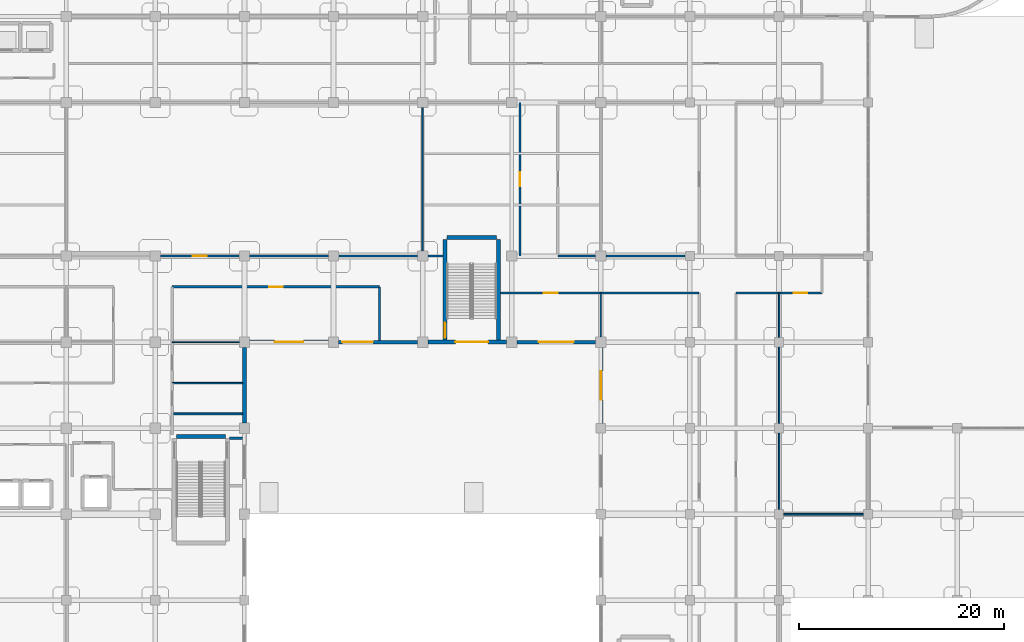
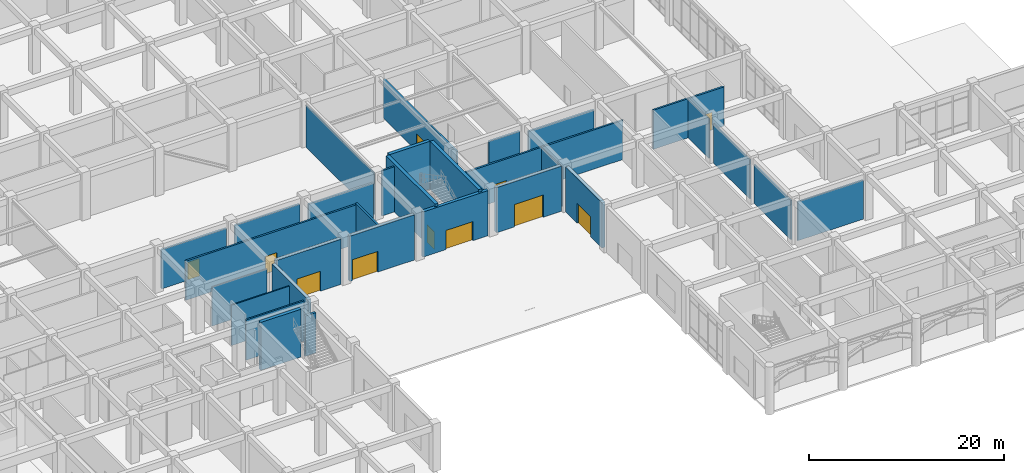
# One storey, part 64 of 82: 33 walls, 11 doors, 11 openings.
"""IFC4 building model written with IfcOpenShell, lengths in metres."""

from ifc_helpers import new_model, si_unit, derived_unit, direction, frame, frame_2d, origin, place, context, subcontext, project, spatial, rectangle, extrude, material, layer, layer_set, type_object, element, fill, save


model = new_model("IFC4")

# Units and contexts
model_context = context("Model", 3, precision=1e-05, world=origin(), true_north=direction((0.0, 1.0)))
body_context = subcontext(model_context, "Body", "Model", "MODEL_VIEW")
ifc_project = project(units=[si_unit("LENGTHUNIT", "METRE"), si_unit("AREAUNIT", "SQUARE_METRE"), si_unit("VOLUMEUNIT", "CUBIC_METRE"), si_unit("PLANEANGLEUNIT", "RADIAN"), si_unit("MASSUNIT", "GRAM", prefix="KILO"), derived_unit("THERMALTRANSMITTANCEUNIT", [(si_unit("MASSUNIT", "GRAM", prefix="KILO"), 1), (si_unit("TIMEUNIT", "SECOND"), -3), (si_unit("THERMODYNAMICTEMPERATUREUNIT", "KELVIN"), -1)])], contexts=[model_context])

# Site, building, storey
site_placement = place(None, origin())
site = spatial("IfcSite", under=ifc_project, at=site_placement, CompositionType="ELEMENT")
building_placement = place(site_placement, origin())
building = spatial("IfcBuilding", under=site, at=building_placement, Name="Qinzheling Arcade Emporium", CompositionType="ELEMENT")
storey_placement = place(building_placement, origin())
storey = spatial("IfcBuildingStorey", under=building, at=storey_placement, Name="L01", CompositionType="ELEMENT", Elevation=0.0)

# Wall, opening, door
ifc_material_1 = material(Name="Double-stud acoustic gypsum board partition")
ifc_layer_1 = layer(ifc_material_1, 0.215087890625, Name="Double-stud acoustic gypsum board partition")
ifc_layer_set_1 = layer_set([ifc_layer_1], Name="Double-stud acoustic gypsum board partition")
wall_type_1 = type_object("IfcWallType", Name="Acoustic Corridor Partition Wall 215", PredefinedType="PARTITIONING", material=ifc_layer_set_1)
wall_1_placement = place(storey_placement, frame((61.409912109375, 50.39990234375, 0.0), z_axis=(0.0, 0.0, 1.0), x_axis=(1.0, 0.0, 0.0)))
wall_1 = element("IfcWall", 1, at=wall_1_placement, inside=storey, type_object=wall_type_1, Name="Interior Wall WL-L01-INT-0144", PredefinedType="PARTITIONING", context=body_context, shape_type="SweptSolid", body=[
    extrude(rectangle(XDim=7.68017578125, YDim=0.215087890625, at=frame_2d((3.840087890625, 0.0))), origin(), (0.0, 0.0, 1.0), 4.909912109375),
])
opening_1_placement = place(wall_1_placement, frame((3.1650390625, 0.0, 0.0)))
opening_1 = element("IfcOpeningElement", 2, at=opening_1_placement, cuts=wall_1, Name="Opening FD05", PredefinedType="OPENING", context=body_context, shape_type="SweptSolid", body=[
    extrude(rectangle(XDim=1.35009765625, YDim=2.199951171875, at=frame_2d((0.675048828125, 1.10009765625))), frame((0.0, 0.11767578125, 0.0), z_axis=(0.0, -1.0, 0.0), x_axis=(1.0, 0.0, 0.0)), (0.0, 0.0, 1.0), 0.235107421875),
])
ifc_material_2 = material(Name="Class B fire-rated stainless-clad door")
door_type_1 = type_object("IfcDoorType", Name="Kitchen Fire-Rated Service Door 1350x2200", OperationType="NOTDEFINED", PredefinedType="DOOR", material=ifc_material_2)
door_1_placement = place(opening_1_placement, origin())
door_1 = element("IfcDoor", 3, at=door_1_placement, inside=storey, type_object=door_type_1, Name="FD05 Interior Door DR-L01-INT-0045", OperationType="SINGLE_SWING_RIGHT", OverallHeight=2.199951171875, OverallWidth=1.35009765625, PredefinedType="DOOR", context=body_context, shape_type="SweptSolid", body=[
    extrude(rectangle(XDim=1.35009765625, YDim=2.199951171875, at=frame_2d((0.675048828125, 1.10009765625))), frame((0.0, 0.02490234375, 0.0), z_axis=(0.0, -1.0, 0.0), x_axis=(1.0, 0.0, 0.0)), (0.0, 0.0, 1.0), 0.050048828125),
])
fill(opening_1, door_1)

# Walls
wall_2_placement = place(storey_placement, frame((70.110107421875, 50.39990234375, 0.0), z_axis=(0.0, 0.0, 1.0), x_axis=(1.0, 0.0, 0.0)))
element("IfcWall", 4, at=wall_2_placement, inside=storey, type_object=wall_type_1, Name="Interior Wall WL-L01-INT-0145", PredefinedType="PARTITIONING", context=body_context, shape_type="SweptSolid", body=[
    extrude(rectangle(XDim=7.679931640625, YDim=0.215087890625, at=frame_2d((3.83984375, 0.0))), origin(), (0.0, 0.0, 1.0), 4.909912109375),
])
wall_3_placement = place(storey_placement, frame((78.81005859375, 50.39990234375, 0.0), z_axis=(0.0, 0.0, 1.0), x_axis=(1.0, 0.0, 0.0)))
element("IfcWall", 5, at=wall_3_placement, inside=storey, type_object=wall_type_1, Name="Interior Wall WL-L01-INT-0146", PredefinedType="PARTITIONING", context=body_context, shape_type="SweptSolid", body=[
    extrude(rectangle(XDim=7.679931640625, YDim=0.215087890625, at=frame_2d((3.83984375, 0.0))), origin(), (0.0, 0.0, 1.0), 4.510009765625),
])

# Wall, opening, door
wall_4_placement = place(storey_placement, frame((104.39990234375, 46.800048828125, 0.0), z_axis=(0.0, 0.0, 1.0), x_axis=(-1.0, 0.0, 0.0)))
wall_4 = element("IfcWall", 6, at=wall_4_placement, inside=storey, type_object=wall_type_1, Name="Interior Wall WL-L01-INT-0158", PredefinedType="PARTITIONING", context=body_context, shape_type="SweptSolid", body=[
    extrude(rectangle(XDim=9.804931640625, YDim=0.215087890625, at=frame_2d((4.90234375, 0.0))), origin(), (0.0, 0.0, 1.0), 4.909912109375),
])
opening_2_placement = place(wall_4_placement, frame((4.22802734375, 0.0, 0.0)))
opening_2 = element("IfcOpeningElement", 7, at=opening_2_placement, cuts=wall_4, Name="Opening FD05", PredefinedType="OPENING", context=body_context, shape_type="SweptSolid", body=[
    extrude(rectangle(XDim=1.35009765625, YDim=2.199951171875, at=frame_2d((0.675048828125, 1.10009765625))), frame((0.0, 0.11767578125, 0.0), z_axis=(0.0, -1.0, 0.0), x_axis=(1.0, 0.0, 0.0)), (0.0, 0.0, 1.0), 0.235107421875),
])
door_2_placement = place(opening_2_placement, origin())
door_2 = element("IfcDoor", 8, at=door_2_placement, inside=storey, type_object=door_type_1, Name="FD05 Interior Door DR-L01-INT-0048", OperationType="SINGLE_SWING_LEFT", OverallHeight=2.199951171875, OverallWidth=1.35009765625, PredefinedType="DOOR", context=body_context, shape_type="SweptSolid", body=[
    extrude(rectangle(XDim=1.35009765625, YDim=2.199951171875, at=frame_2d((0.675048828125, 1.10009765625))), frame((0.0, 0.02490234375, 0.0), z_axis=(0.0, -1.0, 0.0), x_axis=(1.0, 0.0, 0.0)), (0.0, 0.0, 1.0), 0.050048828125),
])
fill(opening_2, door_2)

# Wall
wall_5_placement = place(storey_placement, frame((82.800048828125, 42.18505859375, 0.0), z_axis=(0.0, 0.0, 1.0), x_axis=(0.0, 1.0, 0.0)))
element("IfcWall", 9, at=wall_5_placement, inside=storey, type_object=wall_type_1, Name="Interior Wall WL-L01-INT-0159", PredefinedType="PARTITIONING", context=body_context, shape_type="SweptSolid", body=[
    extrude(rectangle(XDim=5.21484375, YDim=0.215087890625, at=frame_2d((2.607421875, 0.0))), origin(), (0.0, 0.0, 1.0), 5.06005859375),
])

# Wall, opening, door
wall_6_placement = place(storey_placement, frame((82.800048828125, 47.39990234375, 0.0), z_axis=(0.0, 0.0, 1.0), x_axis=(-1.0, 0.0, 0.0)))
wall_6 = element("IfcWall", 10, at=wall_6_placement, inside=storey, type_object=wall_type_1, Name="Interior Wall WL-L01-INT-0160", PredefinedType="PARTITIONING", context=body_context, shape_type="SweptSolid", body=[
    extrude(rectangle(XDim=20.25, YDim=0.215087890625, at=frame_2d((10.125, 0.0))), origin(), (0.0, 0.0, 1.0), 4.909912109375),
])
opening_3_placement = place(wall_6_placement, frame((9.449951171875, 0.0, 0.0)))
opening_3 = element("IfcOpeningElement", 11, at=opening_3_placement, cuts=wall_6, Name="Opening FD05", PredefinedType="OPENING", context=body_context, shape_type="SweptSolid", body=[
    extrude(rectangle(XDim=1.35009765625, YDim=2.199951171875, at=frame_2d((0.675048828125, 1.10009765625))), frame((0.0, 0.11767578125, 0.0), z_axis=(0.0, -1.0, 0.0), x_axis=(1.0, 0.0, 0.0)), (0.0, 0.0, 1.0), 0.235107421875),
])
door_3_placement = place(opening_3_placement, origin())
door_3 = element("IfcDoor", 12, at=door_3_placement, inside=storey, type_object=door_type_1, Name="FD05 Interior Door DR-L01-INT-0049", OperationType="SINGLE_SWING_RIGHT", OverallHeight=2.199951171875, OverallWidth=1.35009765625, PredefinedType="DOOR", context=body_context, shape_type="SweptSolid", body=[
    extrude(rectangle(XDim=1.35009765625, YDim=2.199951171875, at=frame_2d((0.675048828125, 1.10009765625))), frame((0.0, 0.02490234375, 0.0), z_axis=(0.0, -1.0, 0.0), x_axis=(1.0, 0.0, 0.0)), (0.0, 0.0, 1.0), 0.050048828125),
])
fill(opening_3, door_3)

# Walls
wall_7_placement = place(storey_placement, frame((100.199951171875, 50.39990234375, 0.0), z_axis=(0.0, 0.0, 1.0), x_axis=(1.0, 0.0, 0.0)))
element("IfcWall", 13, at=wall_7_placement, inside=storey, type_object=wall_type_1, Name="Interior Wall WL-L01-INT-0170", PredefinedType="PARTITIONING", context=body_context, shape_type="SweptSolid", body=[
    extrude(rectangle(XDim=3.68994140625, YDim=0.215087890625, at=frame_2d((1.844970703125, 0.0))), origin(), (0.0, 0.0, 1.0), 4.909912109375),
])
wall_8_placement = place(storey_placement, frame((87.510009765625, 50.39990234375, 0.0), z_axis=(0.0, 0.0, 1.0), x_axis=(1.0, 0.0, 0.0)))
element("IfcWall", 14, at=wall_8_placement, inside=storey, type_object=wall_type_1, Name="Interior Wall WL-L01-INT-0171", PredefinedType="PARTITIONING", context=body_context, shape_type="SweptSolid", body=[
    extrude(rectangle(XDim=1.485107421875, YDim=0.215087890625, at=frame_2d((0.74267578125, 0.0))), origin(), (0.0, 0.0, 1.0), 5.659912109375),
])

# Wall, opening, door
wall_9_placement = place(storey_placement, frame((96.5, 50.39990234375, 0.0), z_axis=(0.0, 0.0, 1.0), x_axis=(0.0, 1.0, 0.0)))
wall_9 = element("IfcWall", 15, at=wall_9_placement, inside=storey, type_object=wall_type_1, Name="Interior Wall WL-L01-INT-0172", PredefinedType="PARTITIONING", context=body_context, shape_type="SweptSolid", body=[
    extrude(rectangle(XDim=15.0, YDim=0.215087890625, at=frame_2d((7.5, 0.0))), origin(), (0.0, 0.0, 1.0), 4.909912109375),
])
opening_4_placement = place(wall_9_placement, frame((6.824951171875, 0.0, 0.0)))
opening_4 = element("IfcOpeningElement", 16, at=opening_4_placement, cuts=wall_9, Name="Opening FD05", PredefinedType="OPENING", context=body_context, shape_type="SweptSolid", body=[
    extrude(rectangle(XDim=1.35009765625, YDim=2.199951171875, at=frame_2d((0.675048828125, 1.10009765625))), frame((0.0, 0.11767578125, 0.0), z_axis=(0.0, -1.0, 0.0), x_axis=(1.0, 0.0, 0.0)), (0.0, 0.0, 1.0), 0.235107421875),
])
door_4_placement = place(opening_4_placement, origin())
door_4 = element("IfcDoor", 17, at=door_4_placement, inside=storey, type_object=door_type_1, Name="FD05 Interior Door DR-L01-INT-0054", OperationType="SINGLE_SWING_LEFT", OverallHeight=2.199951171875, OverallWidth=1.35009765625, PredefinedType="DOOR", context=body_context, shape_type="SweptSolid", body=[
    extrude(rectangle(XDim=1.35009765625, YDim=2.199951171875, at=frame_2d((0.675048828125, 1.10009765625))), frame((0.0, 0.02490234375, 0.0), z_axis=(0.0, -1.0, 0.0), x_axis=(1.0, 0.0, 0.0)), (0.0, 0.0, 1.0), 0.050048828125),
])
fill(opening_4, door_4)

# Walls
wall_10_placement = place(storey_placement, frame((121.800048828125, 46.800048828125, 0.0), z_axis=(0.0, 0.0, 1.0), x_axis=(-1.0, 0.0, 0.0)))
element("IfcWall", 18, at=wall_10_placement, inside=storey, type_object=wall_type_1, Name="Interior Wall WL-L01-INT-0176", PredefinedType="PARTITIONING", context=body_context, shape_type="SweptSolid", body=[
    extrude(rectangle(XDim=4.199951171875, YDim=0.215087890625, at=frame_2d((2.10009765625, 0.0))), origin(), (0.0, 0.0, 1.0), 4.909912109375),
])
wall_11_placement = place(storey_placement, frame((114.0, 46.800048828125, 0.0), z_axis=(0.0, 0.0, 1.0), x_axis=(-1.0, 0.0, 0.0)))
element("IfcWall", 19, at=wall_11_placement, inside=storey, type_object=wall_type_1, Name="Interior Wall WL-L01-INT-0181", PredefinedType="PARTITIONING", context=body_context, shape_type="SweptSolid", body=[
    extrude(rectangle(XDim=9.60009765625, YDim=0.215087890625, at=frame_2d((4.800048828125, 0.0))), origin(), (0.0, 0.0, 1.0), 4.909912109375),
])

# Wall, opening, door
wall_12_placement = place(storey_placement, frame((126.0, 46.800048828125, 0.0), z_axis=(0.0, 0.0, 1.0), x_axis=(-1.0, 0.0, 0.0)))
wall_12 = element("IfcWall", 20, at=wall_12_placement, inside=storey, type_object=wall_type_1, Name="Interior Wall WL-L01-INT-0183", PredefinedType="PARTITIONING", context=body_context, shape_type="SweptSolid", body=[
    extrude(rectangle(XDim=4.199951171875, YDim=0.215087890625, at=frame_2d((2.10009765625, 0.0))), origin(), (0.0, 0.0, 1.0), 4.909912109375),
])
opening_5_placement = place(wall_12_placement, frame((1.425048828125, 0.0, 0.0)))
opening_5 = element("IfcOpeningElement", 21, at=opening_5_placement, cuts=wall_12, Name="Opening FD05", PredefinedType="OPENING", context=body_context, shape_type="SweptSolid", body=[
    extrude(rectangle(XDim=1.35009765625, YDim=2.199951171875, at=frame_2d((0.675048828125, 1.10009765625))), frame((0.0, 0.11767578125, 0.0), z_axis=(0.0, -1.0, 0.0), x_axis=(1.0, 0.0, 0.0)), (0.0, 0.0, 1.0), 0.235107421875),
])
door_5_placement = place(opening_5_placement, origin())
door_5 = element("IfcDoor", 22, at=door_5_placement, inside=storey, type_object=door_type_1, Name="FD05 Interior Door DR-L01-INT-0058", OperationType="SINGLE_SWING_LEFT", OverallHeight=2.199951171875, OverallWidth=1.35009765625, PredefinedType="DOOR", context=body_context, shape_type="SweptSolid", body=[
    extrude(rectangle(XDim=1.35009765625, YDim=2.199951171875, at=frame_2d((0.675048828125, 1.10009765625))), frame((0.0, 0.02490234375, 0.0), z_axis=(0.0, -1.0, 0.0), x_axis=(1.0, 0.0, 0.0)), (0.0, 0.0, 1.0), 0.050048828125),
])
fill(opening_5, door_5)

# Walls
wall_13_placement = place(storey_placement, frame((104.909912109375, 50.39990234375, 0.0), z_axis=(0.0, 0.0, 1.0), x_axis=(1.0, 0.0, 0.0)))
element("IfcWall", 23, at=wall_13_placement, inside=storey, type_object=wall_type_1, Name="Interior Wall WL-L01-INT-0191", PredefinedType="PARTITIONING", context=body_context, shape_type="SweptSolid", body=[
    extrude(rectangle(XDim=7.72998046875, YDim=0.215087890625, at=frame_2d((3.864990234375, 0.0))), origin(), (0.0, 0.0, 1.0), 4.510009765625),
])
ifc_material_3 = material(Name="Galvanised stud back-of-house partition")
ifc_layer_2 = layer(ifc_material_3, 0.1201171875, Name="Galvanised stud back-of-house partition")
ifc_layer_set_2 = layer_set([ifc_layer_2], Name="Galvanised stud back-of-house partition")
wall_type_2 = type_object("IfcWallType", Name="Back-of-House Partition Wall 120", PredefinedType="PARTITIONING", material=ifc_layer_set_2)
wall_14_placement = place(storey_placement, frame((104.39990234375, 46.800048828125, 0.0), z_axis=(0.0, 0.0, 1.0), x_axis=(0.0, -1.0, 0.0)))
element("IfcWall", 24, at=wall_14_placement, inside=storey, type_object=wall_type_2, Name="Interior Wall WL-L01-INT-0233", PredefinedType="PARTITIONING", context=body_context, shape_type="SweptSolid", body=[
    extrude(rectangle(XDim=4.2900390625, YDim=0.1201171875, at=frame_2d((2.14501953125, 0.0))), origin(), (0.0, 0.0, 1.0), 4.909912109375),
])
ifc_material_4 = material(Name="Demountable aluminium-and-gypsum retail partition", Category="aluminium")
ifc_layer_3 = layer(ifc_material_4, 0.1650390625, Name="Demountable aluminium-and-gypsum retail partition", Category="aluminium")
ifc_layer_set_3 = layer_set([ifc_layer_3], Name="Demountable aluminium-and-gypsum retail partition")
wall_type_3 = type_object("IfcWallType", Name="Boutique Demountable Partition Wall 165", PredefinedType="PARTITIONING", material=ifc_layer_set_3)
wall_15_placement = place(storey_placement, frame((130.0400390625, 25.199951171875, 0.0), z_axis=(0.0, 0.0, 1.0), x_axis=(-1.0, 0.0, 0.0)))
element("IfcWall", 25, at=wall_15_placement, inside=storey, type_object=wall_type_3, Name="Interior Wall WL-L01-INT-0250", PredefinedType="PARTITIONING", context=body_context, shape_type="SweptSolid", body=[
    extrude(rectangle(XDim=7.780029296875, YDim=0.1650390625, at=frame_2d((3.89013671875, 0.0))), origin(), (0.0, 0.0, 1.0), 4.89501953125),
])
ifc_material_5 = material(Name="Glazed-transom steel-stud office partition", Category="steel")
ifc_layer_4 = layer(ifc_material_5, 0.135009765625, Name="Glazed-transom steel-stud office partition", Category="steel")
ifc_layer_set_4 = layer_set([ifc_layer_4], Name="Glazed-transom steel-stud office partition")
wall_type_4 = type_object("IfcWallType", Name="Buying Office Acoustic Partition Wall 135", PredefinedType="PARTITIONING", material=ifc_layer_set_4)
wall_16_placement = place(storey_placement, frame((87.0, 64.889892578125, 0.0), z_axis=(0.0, 0.0, 1.0), x_axis=(0.0, -1.0, 0.0)))
element("IfcWall", 26, at=wall_16_placement, inside=storey, type_object=wall_type_4, Name="Interior Wall WL-L01-INT-0231", PredefinedType="PARTITIONING", context=body_context, shape_type="SweptSolid", body=[
    extrude(rectangle(XDim=13.97998046875, YDim=0.135009765625, at=frame_2d((6.989990234375, 0.0))), origin(), (0.0, 0.0, 1.0), 5.221923828125),
])
ifc_material_6 = material(Name="Lightweight steel-stud gypsum partition", Category="steel")
ifc_layer_5 = layer(ifc_material_6, 0.18994140625, Name="Lightweight steel-stud gypsum partition", Category="steel")
ifc_layer_set_5 = layer_set([ifc_layer_5], Name="Lightweight steel-stud gypsum partition")
wall_type_5 = type_object("IfcWallType", Name="Department Tenant Partition Wall 190", PredefinedType="PARTITIONING", material=ifc_layer_set_5)
wall_17_placement = place(storey_placement, frame((62.550048828125, 35.0, 0.0), z_axis=(0.0, 0.0, 1.0), x_axis=(1.0, 0.0, 0.0)))
element("IfcWall", 27, at=wall_17_placement, inside=storey, type_object=wall_type_5, Name="Interior Wall WL-L01-INT-0225", PredefinedType="PARTITIONING", context=body_context, shape_type="SweptSolid", body=[
    extrude(rectangle(XDim=6.864990234375, YDim=0.18994140625, at=frame_2d((3.4326171875, 0.0))), origin(), (0.0, 0.0, 1.0), 5.06005859375),
])
ifc_material_7 = material(Name="Fire-rated double-stud gypsum and mineral wool wall")
ifc_layer_6 = layer(ifc_material_7, 0.2451171875, Name="Fire-rated double-stud gypsum and mineral wool wall")
ifc_layer_set_6 = layer_set([ifc_layer_6], Name="Fire-rated double-stud gypsum and mineral wool wall")
wall_type_6 = type_object("IfcWallType", Name="Firefighting Lobby Rated Wall 245", PredefinedType="STANDARD", material=ifc_layer_set_6)
wall_18_placement = place(storey_placement, frame((68.14501953125, 32.60009765625, 0.0), z_axis=(0.0, 0.0, 1.0), x_axis=(1.0, 0.0, 0.0)))
element("IfcWall", 28, at=wall_18_placement, inside=storey, type_object=wall_type_6, Name="Interior Wall WL-L01-INT-0109", PredefinedType="STANDARD", context=body_context, shape_type="SweptSolid", body=[
    extrude(rectangle(XDim=1.260009765625, YDim=0.2451171875, at=frame_2d((0.6298828125, 0.0))), origin(), (0.0, 0.0, 1.0), 5.06005859375),
])

# Wall, opening, door
ifc_material_8 = material(Name="Glazed cream terracotta on Concrete C40", Category="masonry")
ifc_layer_7 = layer(ifc_material_8, 0.3798828125, Name="Glazed cream terracotta on Concrete C40", Category="masonry")
ifc_layer_set_7 = layer_set([ifc_layer_7], Name="Glazed cream terracotta on Concrete C40")
wall_type_7 = type_object("IfcWallType", Name="Glazed Cream Terracotta Structural Wall 380", PredefinedType="STANDARD", material=ifc_layer_set_7)
wall_19_placement = place(storey_placement, frame((104.39990234375, 34.052001953125, 0.0), z_axis=(0.0, 0.0, 1.0), x_axis=(0.0, 1.0, 0.0)))
wall_19 = element("IfcWall", 29, at=wall_19_placement, inside=storey, type_object=wall_type_7, Name="Exterior Wall WL-L01-EW-0020", PredefinedType="STANDARD", context=body_context, shape_type="SweptSolid", body=[
    extrude(rectangle(XDim=7.446044921875, YDim=0.3798828125, at=frame_2d((3.72314453125, 0.0))), origin(), (0.0, 0.0, 1.0), 5.659912109375),
])
opening_6_placement = place(wall_19_placement, frame((2.322998046875, 0.0, 0.0)))
opening_6 = element("IfcOpeningElement", 30, at=opening_6_placement, cuts=wall_19, Name="Opening E04", PredefinedType="OPENING", context=body_context, shape_type="SweptSolid", body=[
    extrude(rectangle(XDim=2.800048828125, YDim=2.5, at=frame_2d((1.39990234375, 1.25))), frame((0.0, 0.199951171875, 0.0), z_axis=(0.0, -1.0, 0.0), x_axis=(1.0, 0.0, 0.0)), (0.0, 0.0, 1.0), 0.39990234375),
])
ifc_material_9 = material(Name="Anodised aluminium and tempered glass", Category="aluminium")
door_type_2 = type_object("IfcDoorType", Name="Food Hall Court Entrance Door 2800x2500", OperationType="DOUBLE_DOOR_SINGLE_SWING", PredefinedType="DOOR", material=ifc_material_9)
door_6_placement = place(opening_6_placement, origin())
door_6 = element("IfcDoor", 31, at=door_6_placement, inside=storey, type_object=door_type_2, Name="E04 Exterior Door DR-L01-EXT-008", OperationType="DOUBLE_DOOR_SINGLE_SWING", OverallHeight=2.5, OverallWidth=2.800048828125, PredefinedType="DOOR", context=body_context, shape_type="SweptSolid", body=[
    extrude(rectangle(XDim=2.800048828125, YDim=2.5, at=frame_2d((1.39990234375, 1.25))), frame((0.0, 0.02490234375, 0.0), z_axis=(0.0, -1.0, 0.0), x_axis=(1.0, 0.0, 0.0)), (0.0, 0.0, 1.0), 0.050048828125),
])
fill(opening_6, door_6)

wall_20_placement = place(storey_placement, frame((95.197998046875, 42.0, 0.0), z_axis=(0.0, 0.0, 1.0), x_axis=(-1.0, 0.0, 0.0)))
wall_20 = element("IfcWall", 32, at=wall_20_placement, inside=storey, type_object=wall_type_7, Name="Exterior Wall WL-L01-EW-0022", PredefinedType="STANDARD", context=body_context, shape_type="SweptSolid", body=[
    extrude(rectangle(XDim=7.696044921875, YDim=0.3798828125, at=frame_2d((3.84814453125, 0.0))), origin(), (0.0, 0.0, 1.0), 5.659912109375),
])
opening_7_placement = place(wall_20_placement, frame((1.802978515625, 0.0, 0.0)))
opening_7 = element("IfcOpeningElement", 33, at=opening_7_placement, cuts=wall_20, Name="Opening ED01", PredefinedType="OPENING", context=body_context, shape_type="SweptSolid", body=[
    extrude(rectangle(XDim=3.199951171875, YDim=2.39990234375, at=frame_2d((1.60009765625, 1.199951171875))), frame((0.0, 0.199951171875, 0.0), z_axis=(0.0, -1.0, 0.0), x_axis=(1.0, 0.0, 0.0)), (0.0, 0.0, 1.0), 0.39990234375),
])
ifc_material_10 = material(Name="Fire-rated steel panic exit door", Category="steel")
door_type_3 = type_object("IfcDoorType", Name="Stairwell Street Final Exit Door 3200x2400", OperationType="DOUBLE_DOOR_SINGLE_SWING", PredefinedType="USERDEFINED", material=ifc_material_10)
door_7_placement = place(opening_7_placement, origin())
door_7 = element("IfcDoor", 34, at=door_7_placement, inside=storey, type_object=door_type_3, Name="ED01 Exterior Door DR-L01-EXT-010", ObjectType="ESCAPE_DOOR", OperationType="DOUBLE_DOOR_SINGLE_SWING", OverallHeight=2.39990234375, OverallWidth=3.199951171875, PredefinedType="USERDEFINED", context=body_context, shape_type="SweptSolid", body=[
    extrude(rectangle(XDim=3.199951171875, YDim=2.39990234375, at=frame_2d((1.60009765625, 1.199951171875))), frame((0.0, 0.02490234375, 0.0), z_axis=(0.0, -1.0, 0.0), x_axis=(1.0, 0.0, 0.0)), (0.0, 0.0, 1.0), 0.050048828125),
])
fill(opening_7, door_7)

wall_21_placement = place(storey_placement, frame((77.798095703125, 42.0, 0.0), z_axis=(0.0, 0.0, 1.0), x_axis=(-1.0, 0.0, 0.0)))
wall_21 = element("IfcWall", 35, at=wall_21_placement, inside=storey, type_object=wall_type_7, Name="Exterior Wall WL-L01-EW-0024", PredefinedType="STANDARD", context=body_context, shape_type="SweptSolid", body=[
    extrude(rectangle(XDim=7.696044921875, YDim=0.3798828125, at=frame_2d((3.84814453125, 0.0))), origin(), (0.0, 0.0, 1.0), 5.659912109375),
])
opening_8_placement = place(wall_21_placement, frame((2.447998046875, 0.0, 0.0)))
opening_8 = element("IfcOpeningElement", 36, at=opening_8_placement, cuts=wall_21, Name="Opening E04", PredefinedType="OPENING", context=body_context, shape_type="SweptSolid", body=[
    extrude(rectangle(XDim=2.800048828125, YDim=2.5, at=frame_2d((1.39990234375, 1.25))), frame((0.0, 0.199951171875, 0.0), z_axis=(0.0, -1.0, 0.0), x_axis=(1.0, 0.0, 0.0)), (0.0, 0.0, 1.0), 0.39990234375),
])
door_8_placement = place(opening_8_placement, origin())
door_8 = element("IfcDoor", 37, at=door_8_placement, inside=storey, type_object=door_type_2, Name="E04 Exterior Door DR-L01-EXT-012", OperationType="DOUBLE_DOOR_SINGLE_SWING", OverallHeight=2.5, OverallWidth=2.800048828125, PredefinedType="DOOR", context=body_context, shape_type="SweptSolid", body=[
    extrude(rectangle(XDim=2.800048828125, YDim=2.5, at=frame_2d((1.39990234375, 1.25))), frame((0.0, 0.02490234375, 0.0), z_axis=(0.0, -1.0, 0.0), x_axis=(1.0, 0.0, 0.0)), (0.0, 0.0, 1.0), 0.050048828125),
])
fill(opening_8, door_8)

ifc_layer_8 = layer(ifc_material_8, 0.360107421875, Name="Glazed cream terracotta on Concrete C40", Category="masonry")
ifc_layer_set_8 = layer_set([ifc_layer_8], Name="Glazed cream terracotta on Concrete C40")
wall_type_8 = type_object("IfcWallType", Name="Glazed Terracotta Pier Wall 360", PredefinedType="STANDARD", material=ifc_layer_set_8)
wall_22_placement = place(storey_placement, frame((103.89794921875, 42.0, 0.0), z_axis=(0.0, 0.0, 1.0), x_axis=(-1.0, 0.0, 0.0)))
wall_22 = element("IfcWall", 38, at=wall_22_placement, inside=storey, type_object=wall_type_8, Name="Exterior Wall WL-L01-EW-0021", PredefinedType="STANDARD", context=body_context, shape_type="SweptSolid", body=[
    extrude(rectangle(XDim=7.696044921875, YDim=0.360107421875, at=frame_2d((3.84814453125, 0.0))), origin(), (0.0, 0.0, 1.0), 5.659912109375),
])
opening_9_placement = place(wall_22_placement, frame((2.14794921875, 0.0, 0.0)))
opening_9 = element("IfcOpeningElement", 39, at=opening_9_placement, cuts=wall_22, Name="Opening E01", PredefinedType="OPENING", context=body_context, shape_type="SweptSolid", body=[
    extrude(rectangle(XDim=3.39990234375, YDim=2.800048828125, at=frame_2d((1.699951171875, 1.39990234375))), frame((0.0, 0.18994140625, 0.0), z_axis=(0.0, -1.0, 0.0), x_axis=(1.0, 0.0, 0.0)), (0.0, 0.0, 1.0), 0.380126953125),
])
ifc_material_11 = material(Name="Cast bronze and laminated glass", Category="glass")
door_type_4 = type_object("IfcDoorType", Name="Cast-Bronze Arcade Double Entrance Door 3400x2800", OperationType="DOUBLE_DOOR_SINGLE_SWING", PredefinedType="DOOR", material=ifc_material_11)
door_9_placement = place(opening_9_placement, origin())
door_9 = element("IfcDoor", 40, at=door_9_placement, inside=storey, type_object=door_type_4, Name="E01 Exterior Door DR-L01-EXT-009", OperationType="DOUBLE_DOOR_SINGLE_SWING", OverallHeight=2.800048828125, OverallWidth=3.39990234375, PredefinedType="DOOR", context=body_context, shape_type="SweptSolid", body=[
    extrude(rectangle(XDim=3.39990234375, YDim=2.800048828125, at=frame_2d((1.699951171875, 1.39990234375))), frame((0.0, 0.02490234375, 0.0), z_axis=(0.0, -1.0, 0.0), x_axis=(1.0, 0.0, 0.0)), (0.0, 0.0, 1.0), 0.050048828125),
])
fill(opening_9, door_9)

wall_23_placement = place(storey_placement, frame((86.498046875, 42.0, 0.0), z_axis=(0.0, 0.0, 1.0), x_axis=(-1.0, 0.0, 0.0)))
wall_23 = element("IfcWall", 41, at=wall_23_placement, inside=storey, type_object=wall_type_8, Name="Exterior Wall WL-L01-EW-0023", PredefinedType="STANDARD", context=body_context, shape_type="SweptSolid", body=[
    extrude(rectangle(XDim=7.696044921875, YDim=0.360107421875, at=frame_2d((3.84814453125, 0.0))), origin(), (0.0, 0.0, 1.0), 5.659912109375),
])
opening_10_placement = place(wall_23_placement, frame((4.347900390625, 0.0, 0.0)))
opening_10 = element("IfcOpeningElement", 42, at=opening_10_placement, cuts=wall_23, Name="Opening E03", PredefinedType="OPENING", context=body_context, shape_type="SweptSolid", body=[
    extrude(rectangle(XDim=3.0, YDim=2.60009765625, at=frame_2d((1.5, 1.300048828125))), frame((0.0, 0.18994140625, 0.0), z_axis=(0.0, -1.0, 0.0), x_axis=(1.0, 0.0, 0.0)), (0.0, 0.0, 1.0), 0.380126953125),
])
door_type_5 = type_object("IfcDoorType", Name="Boulevard Retail Entrance Door 3000x2600", OperationType="DOUBLE_DOOR_SINGLE_SWING", PredefinedType="DOOR", material=ifc_material_9)
door_10_placement = place(opening_10_placement, origin())
door_10 = element("IfcDoor", 43, at=door_10_placement, inside=storey, type_object=door_type_5, Name="E03 Exterior Door DR-L01-EXT-011", OperationType="DOUBLE_DOOR_SINGLE_SWING", OverallHeight=2.60009765625, OverallWidth=3.0, PredefinedType="DOOR", context=body_context, shape_type="SweptSolid", body=[
    extrude(rectangle(XDim=3.0, YDim=2.60009765625, at=frame_2d((1.5, 1.300048828125))), frame((0.0, 0.02490234375, 0.0), z_axis=(0.0, -1.0, 0.0), x_axis=(1.0, 0.0, 0.0)), (0.0, 0.0, 1.0), 0.050048828125),
])
fill(opening_10, door_10)

# Walls
wall_24_placement = place(storey_placement, frame((69.60009765625, 41.498046875, 0.0), z_axis=(0.0, 0.0, 1.0), x_axis=(0.0, -1.0, 0.0)))
element("IfcWall", 44, at=wall_24_placement, inside=storey, type_object=wall_type_8, Name="Exterior Wall WL-L01-EW-0025", PredefinedType="STANDARD", context=body_context, shape_type="SweptSolid", body=[
    extrude(rectangle(XDim=7.39599609375, YDim=0.360107421875, at=frame_2d((3.697998046875, 0.0))), origin(), (0.0, 0.0, 1.0), 5.659912109375),
])
ifc_material_12 = material(Name="Concrete C50", Category="concrete")
ifc_layer_9 = layer(ifc_material_12, 0.39990234375, Name="Concrete C50", Category="concrete")
ifc_layer_set_9 = layer_set([ifc_layer_9], Name="Concrete C50")
wall_type_9 = type_object("IfcWallType", Name="RC Stair Core Shear Wall 400 C50", PredefinedType="SHEAR", material=ifc_layer_set_9)
wall_25_placement = place(storey_placement, frame((62.949951171875, 32.800048828125, 0.0), z_axis=(0.0, 0.0, 1.0), x_axis=(1.0, 0.0, 0.0)))
element("IfcWall", 45, at=wall_25_placement, inside=storey, type_object=wall_type_9, Name="Stair Core Wall WL-L01-ST01-NORTH", PredefinedType="SHEAR", context=body_context, shape_type="SweptSolid", body=[
    extrude(rectangle(XDim=4.7900390625, YDim=0.39990234375, at=frame_2d((2.39501953125, 0.0))), origin(), (0.0, 0.0, 1.0), 6.0),
])

# Wall, opening, door
wall_26_placement = place(storey_placement, frame((89.199951171875, 42.0, 0.0), z_axis=(0.0, 0.0, 1.0), x_axis=(0.0, 1.0, 0.0)))
wall_26 = element("IfcWall", 46, at=wall_26_placement, inside=storey, type_object=wall_type_9, Name="Stair Core Wall WL-L01-ST04-WEST", PredefinedType="SHEAR", context=body_context, shape_type="SweptSolid", body=[
    extrude(rectangle(XDim=10.0, YDim=0.39990234375, at=frame_2d((5.0, 0.0))), origin(), (0.0, 0.0, 1.0), 6.0),
])
opening_11_placement = place(wall_26_placement, frame((0.409912109375, 0.0, 0.0)))
opening_11 = element("IfcOpeningElement", 47, at=opening_11_placement, cuts=wall_26, Name="Opening FD01", PredefinedType="OPENING", context=body_context, shape_type="SweptSolid", body=[
    extrude(rectangle(XDim=1.5, YDim=2.199951171875, at=frame_2d((0.75, 1.10009765625))), frame((0.0, 0.2099609375, 0.0), z_axis=(0.0, -1.0, 0.0), x_axis=(1.0, 0.0, 0.0)), (0.0, 0.0, 1.0), 0.419921875),
])
ifc_material_13 = material(Name="Class A fire-rated steel double door", Category="steel")
door_type_6 = type_object("IfcDoorType", Name="Stairwell Smoke-Proof Fire Door 1500x2200", OperationType="DOUBLE_DOOR_SINGLE_SWING", PredefinedType="DOOR", material=ifc_material_13)
door_11_placement = place(opening_11_placement, origin())
door_11 = element("IfcDoor", 48, at=door_11_placement, inside=storey, type_object=door_type_6, Name="FD01 Stairwell Fire Door DR-L01-ST04-FD", OperationType="DOUBLE_DOOR_SINGLE_SWING", OverallHeight=2.199951171875, OverallWidth=1.5, PredefinedType="DOOR", context=body_context, shape_type="SweptSolid", body=[
    extrude(rectangle(XDim=1.5, YDim=2.199951171875, at=frame_2d((0.75, 1.10009765625))), frame((0.0, 0.02490234375, 0.0), z_axis=(0.0, -1.0, 0.0), x_axis=(1.0, 0.0, 0.0)), (0.0, 0.0, 1.0), 0.050048828125),
])
fill(opening_11, door_11)

# Walls
wall_27_placement = place(storey_placement, frame((94.389892578125, 52.0, 0.0), z_axis=(0.0, 0.0, 1.0), x_axis=(0.0, -1.0, 0.0)))
element("IfcWall", 49, at=wall_27_placement, inside=storey, type_object=wall_type_9, Name="Stair Core Wall WL-L01-ST04-EAST", PredefinedType="SHEAR", context=body_context, shape_type="SweptSolid", body=[
    extrude(rectangle(XDim=10.0, YDim=0.39990234375, at=frame_2d((5.0, 0.0))), origin(), (0.0, 0.0, 1.0), 6.0),
])
wall_28_placement = place(storey_placement, frame((89.39990234375, 52.199951171875, 0.0), z_axis=(0.0, 0.0, 1.0), x_axis=(1.0, 0.0, 0.0)))
element("IfcWall", 50, at=wall_28_placement, inside=storey, type_object=wall_type_9, Name="Stair Core Wall WL-L01-ST04-NORTH", PredefinedType="SHEAR", context=body_context, shape_type="SweptSolid", body=[
    extrude(rectangle(XDim=4.7900390625, YDim=0.39990234375, at=frame_2d((2.39501953125, 0.0))), origin(), (0.0, 0.0, 1.0), 6.0),
])
ifc_material_14 = material(Name="Galvanised steel-stud stockroom partition", Category="steel")
ifc_layer_10 = layer(ifc_material_14, 0.114990234375, Name="Galvanised steel-stud stockroom partition", Category="steel")
ifc_layer_set_10 = layer_set([ifc_layer_10], Name="Galvanised steel-stud stockroom partition")
wall_type_10 = type_object("IfcWallType", Name="Storage Cage Partition Wall 115", PredefinedType="PARTITIONING", material=ifc_layer_set_10)
wall_29_placement = place(storey_placement, frame((62.550048828125, 42.0, 0.0), z_axis=(0.0, 0.0, 1.0), x_axis=(1.0, 0.0, 0.0)))
element("IfcWall", 51, at=wall_29_placement, inside=storey, type_object=wall_type_10, Name="Interior Wall WL-L01-INT-0226", PredefinedType="PARTITIONING", context=body_context, shape_type="SweptSolid", body=[
    extrude(rectangle(XDim=6.5400390625, YDim=0.114990234375, at=frame_2d((3.27001953125, 0.0))), origin(), (0.0, 0.0, 1.0), 4.909912109375),
])
ifc_material_15 = material(Name="Moisture-resistant cement-board WC partition")
ifc_layer_11 = layer(ifc_material_15, 0.14501953125, Name="Moisture-resistant cement-board WC partition")
ifc_layer_set_11 = layer_set([ifc_layer_11], Name="Moisture-resistant cement-board WC partition")
wall_type_11 = type_object("IfcWallType", Name="Washroom Moisture Partition Wall 145", PredefinedType="PARTITIONING", material=ifc_layer_set_11)
wall_30_placement = place(storey_placement, frame((69.4150390625, 38.0, 0.0), z_axis=(0.0, 0.0, 1.0), x_axis=(-1.0, 0.0, 0.0)))
element("IfcWall", 52, at=wall_30_placement, inside=storey, type_object=wall_type_11, Name="Interior Wall WL-L01-INT-0227", PredefinedType="PARTITIONING", context=body_context, shape_type="SweptSolid", body=[
    extrude(rectangle(XDim=6.864990234375, YDim=0.14501953125, at=frame_2d((3.4326171875, 0.0))), origin(), (0.0, 0.0, 1.0), 5.06005859375),
])
wall_31_placement = place(storey_placement, frame((121.800048828125, 46.800048828125, 0.0), z_axis=(0.0, 0.0, 1.0), x_axis=(0.0, -1.0, 0.0)))
element("IfcWall", 53, at=wall_31_placement, inside=storey, type_object=wall_type_11, Name="Interior Wall WL-L01-INT-0243", PredefinedType="PARTITIONING", context=body_context, shape_type="SweptSolid", body=[
    extrude(rectangle(XDim=4.340087890625, YDim=0.14501953125, at=frame_2d((2.169921875, 0.0))), origin(), (0.0, 0.0, 1.0), 4.909912109375),
])
for number, where, z_axis, x_axis, name in (
    (54, (121.800048828125, 41.5400390625, 0.0), (0.0, 0.0, 1.0), (0.0, -1.0, 0.0), "Interior Wall WL-L01-INT-0244"),
    (55, (121.800048828125, 33.139892578125, 0.0), (0.0, 0.0, 1.0), (0.0, -1.0, 0.0), "Interior Wall WL-L01-INT-0245"),
):
    element("IfcWall", number, at=place(storey_placement, frame(where, z_axis=z_axis, x_axis=x_axis)), inside=storey, type_object=wall_type_11, Name=name, PredefinedType="PARTITIONING", context=body_context, shape_type="SweptSolid", body=[
        extrude(rectangle(XDim=7.47998046875, YDim=0.14501953125, at=frame_2d((3.739990234375, 0.0))), origin(), (0.0, 0.0, 1.0), 4.909912109375),
    ])

save(model, "model.ifc")
